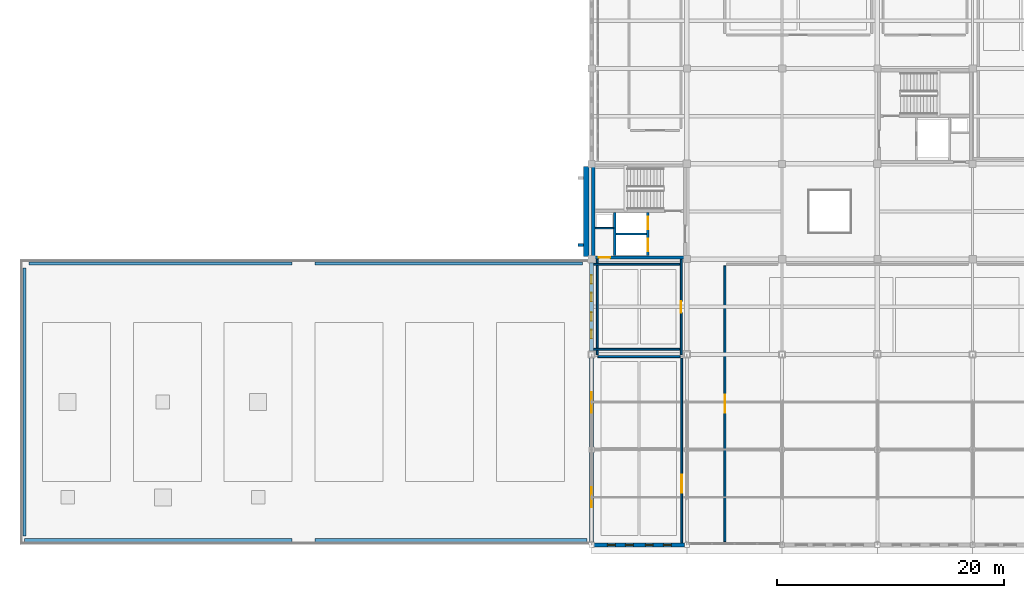
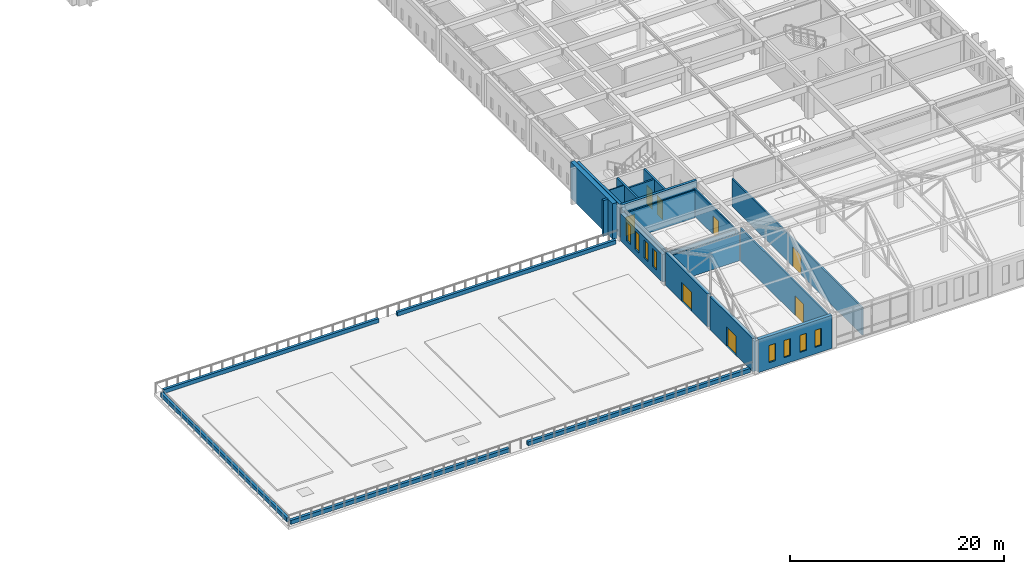
# One storey, part 31 of 47: 24 walls, 8 doors, 8 windows, 16 openings.
"""IFC4 building model written with IfcOpenShell, lengths in metres."""

from ifc_helpers import new_model, si_unit, direction, frame, frame_2d, origin, place, context, subcontext, project, spatial, rectangle, extrude, material, layer, layer_set, type_object, element, fill, save


model = new_model("IFC4")

# Units and contexts
model_context = context("Model", 3, precision=1e-05, world=origin(), true_north=direction((0.0, 1.0)))
body_context = subcontext(model_context, "Body", "Model", "MODEL_VIEW")
ifc_project = project(units=[si_unit("LENGTHUNIT", "METRE"), si_unit("AREAUNIT", "SQUARE_METRE"), si_unit("VOLUMEUNIT", "CUBIC_METRE"), si_unit("PLANEANGLEUNIT", "RADIAN"), si_unit("MASSUNIT", "GRAM", prefix="KILO")], contexts=[model_context])

# Site, building, storey
site_placement = place(None, origin())
site = spatial("IfcSite", under=ifc_project, at=site_placement, CompositionType="ELEMENT")
building_placement = place(site_placement, origin())
building = spatial("IfcBuilding", under=site, at=building_placement, Name="Kveldsbrygga Polytechnic", CompositionType="ELEMENT")
storey_placement = place(building_placement, frame((0.0, 0.0, 13.93994140625)))
storey = spatial("IfcBuildingStorey", under=building, at=storey_placement, Name="L03", CompositionType="ELEMENT", Elevation=13.93994140625)

# Wall
ifc_material_1 = material(Name="Fired clay brick masonry M10", Category="masonry")
ifc_layer_1 = layer(ifc_material_1, 0.47998046875)
ifc_layer_set_1 = layer_set([ifc_layer_1], Name="Fired clay brick masonry M10")
wall_type_1 = type_object("IfcWallType", Name="EW-BAST-480", PredefinedType="SOLIDWALL", material=ifc_layer_set_1)
wall_1_placement = place(storey_placement, frame((125.52001953125, 25.43994140625, 0.0), z_axis=(0.0, 0.0, 1.0), x_axis=(0.0, 1.0, 0.0)))
element("IfcWall", 1, at=wall_1_placement, inside=storey, type_object=wall_type_1, Name="Corner Stair Bastion Wall BAST-L03-Y-15-03", PredefinedType="SOLIDWALL", context=body_context, shape_type="SweptSolid", body=[
    extrude(rectangle(XDim=7.920166015625, YDim=0.47998046875, at=frame_2d((3.9599609375, 0.0))), origin(), (0.0, 0.0, 1.0), 4.080078125),
])

# Wall, openings, windows
ifc_layer_2 = layer(ifc_material_1, 0.360107421875)
ifc_layer_set_2 = layer_set([ifc_layer_2], Name="Fired clay brick masonry M10")
wall_type_2 = type_object("IfcWallType", Name="EW-BRICK-360", PredefinedType="SOLIDWALL", material=ifc_layer_set_2)
wall_2_placement = place(storey_placement, frame((126.22509765625, 0.0, 0.0), z_axis=(0.0, 0.0, 1.0), x_axis=(1.0, 0.0, 0.0)))
wall_2 = element("IfcWall", 2, at=wall_2_placement, inside=storey, type_object=wall_type_2, Name="Exterior Brick Wall EW-L03-X-15-00", PredefinedType="SOLIDWALL", context=body_context, shape_type="SweptSolid", body=[
    extrude(rectangle(XDim=7.96484375, YDim=0.360107421875, at=frame_2d((3.982421875, 0.0))), origin(), (0.0, 0.0, 1.0), 3.780029296875),
])
opening_1_placement = place(wall_2_placement, frame((1.163330078125, 0.0, 0.75)))
opening_1 = element("IfcOpeningElement", 3, at=opening_1_placement, cuts=wall_2, Name="Opening W-28", PredefinedType="OPENING", context=body_context, shape_type="SweptSolid", body=[
    extrude(rectangle(XDim=0.699951171875, YDim=1.949951171875, at=frame_2d((0.35009765625, 0.97509765625))), frame((0.0, 0.18994140625, 0.0), z_axis=(0.0, -1.0, 0.0), x_axis=(1.0, 0.0, 0.0)), (0.0, 0.0, 1.0), 0.380126953125),
])
opening_2_placement = place(wall_2_placement, frame((2.75634765625, 0.0, 0.75)))
opening_2 = element("IfcOpeningElement", 4, at=opening_2_placement, cuts=wall_2, Name="Opening W-28", PredefinedType="OPENING", context=body_context, shape_type="SweptSolid", body=[
    extrude(rectangle(XDim=0.699951171875, YDim=1.949951171875, at=frame_2d((0.35009765625, 0.97509765625))), frame((0.0, 0.18994140625, 0.0), z_axis=(0.0, -1.0, 0.0), x_axis=(1.0, 0.0, 0.0)), (0.0, 0.0, 1.0), 0.380126953125),
])
opening_3_placement = place(wall_2_placement, frame((4.508544921875, 0.0, 0.75)))
opening_3 = element("IfcOpeningElement", 5, at=opening_3_placement, cuts=wall_2, Name="Opening W-28", PredefinedType="OPENING", context=body_context, shape_type="SweptSolid", body=[
    extrude(rectangle(XDim=0.699951171875, YDim=1.949951171875, at=frame_2d((0.35009765625, 0.97509765625))), frame((0.0, 0.18994140625, 0.0), z_axis=(0.0, -1.0, 0.0), x_axis=(1.0, 0.0, 0.0)), (0.0, 0.0, 1.0), 0.380126953125),
])
opening_4_placement = place(wall_2_placement, frame((6.1015625, 0.0, 0.75)))
opening_4 = element("IfcOpeningElement", 6, at=opening_4_placement, cuts=wall_2, Name="Opening W-28", PredefinedType="OPENING", context=body_context, shape_type="SweptSolid", body=[
    extrude(rectangle(XDim=0.699951171875, YDim=1.949951171875, at=frame_2d((0.35009765625, 0.97509765625))), frame((0.0, 0.18994140625, 0.0), z_axis=(0.0, -1.0, 0.0), x_axis=(1.0, 0.0, 0.0)), (0.0, 0.0, 1.0), 0.380126953125),
])
ifc_material_2 = material(Name="Insulated triple low-E glass", Category="glass")
window_type_1 = type_object("IfcWindowType", Name="WN-ATTIC-070x195", PartitioningType="DOUBLE_PANEL_VERTICAL", PredefinedType="WINDOW", material=ifc_material_2)
window_1_placement = place(opening_1_placement, origin())
window_1 = element("IfcWindow", 7, at=window_1_placement, inside=storey, type_object=window_type_1, Name="Gothic Lancet Window WIN-L03-X-15-00-1", OverallHeight=1.949951171875, OverallWidth=0.699951171875, PartitioningType="DOUBLE_PANEL_VERTICAL", PredefinedType="WINDOW", context=body_context, shape_type="SweptSolid", body=[
    extrude(rectangle(XDim=0.699951171875, YDim=1.949951171875, at=frame_2d((0.35009765625, 0.97509765625))), frame((0.0, 0.030029296875, 0.0), z_axis=(0.0, -1.0, 0.0), x_axis=(1.0, 0.0, 0.0)), (0.0, 0.0, 1.0), 0.06005859375),
])
fill(opening_1, window_1)
window_2_placement = place(opening_2_placement, origin())
window_2 = element("IfcWindow", 8, at=window_2_placement, inside=storey, type_object=window_type_1, Name="Gothic Lancet Window WIN-L03-X-15-00-2", OverallHeight=1.949951171875, OverallWidth=0.699951171875, PartitioningType="DOUBLE_PANEL_VERTICAL", PredefinedType="WINDOW", context=body_context, shape_type="SweptSolid", body=[
    extrude(rectangle(XDim=0.699951171875, YDim=1.949951171875, at=frame_2d((0.35009765625, 0.97509765625))), frame((0.0, 0.030029296875, 0.0), z_axis=(0.0, -1.0, 0.0), x_axis=(1.0, 0.0, 0.0)), (0.0, 0.0, 1.0), 0.06005859375),
])
fill(opening_2, window_2)
window_3_placement = place(opening_3_placement, origin())
window_3 = element("IfcWindow", 9, at=window_3_placement, inside=storey, type_object=window_type_1, Name="Gothic Lancet Window WIN-L03-X-15-00-3", OverallHeight=1.949951171875, OverallWidth=0.699951171875, PartitioningType="DOUBLE_PANEL_VERTICAL", PredefinedType="WINDOW", context=body_context, shape_type="SweptSolid", body=[
    extrude(rectangle(XDim=0.699951171875, YDim=1.949951171875, at=frame_2d((0.35009765625, 0.97509765625))), frame((0.0, 0.030029296875, 0.0), z_axis=(0.0, -1.0, 0.0), x_axis=(1.0, 0.0, 0.0)), (0.0, 0.0, 1.0), 0.06005859375),
])
fill(opening_3, window_3)
window_4_placement = place(opening_4_placement, origin())
window_4 = element("IfcWindow", 10, at=window_4_placement, inside=storey, type_object=window_type_1, Name="Gothic Lancet Window WIN-L03-X-15-00-4", OverallHeight=1.949951171875, OverallWidth=0.699951171875, PartitioningType="DOUBLE_PANEL_VERTICAL", PredefinedType="WINDOW", context=body_context, shape_type="SweptSolid", body=[
    extrude(rectangle(XDim=0.699951171875, YDim=1.949951171875, at=frame_2d((0.35009765625, 0.97509765625))), frame((0.0, 0.030029296875, 0.0), z_axis=(0.0, -1.0, 0.0), x_axis=(1.0, 0.0, 0.0)), (0.0, 0.0, 1.0), 0.06005859375),
])
fill(opening_4, window_4)

# Wall, opening, door
wall_3_placement = place(storey_placement, frame((126.0, 0.22509765625, 0.0), z_axis=(0.0, 0.0, 1.0), x_axis=(0.0, 1.0, 0.0)))
wall_3 = element("IfcWall", 11, at=wall_3_placement, inside=storey, type_object=wall_type_2, Name="Exterior Brick Wall EW-L03-Y-15-00", PredefinedType="SOLIDWALL", context=body_context, shape_type="SweptSolid", body=[
    extrude(rectangle(XDim=7.949951171875, YDim=0.360107421875, at=frame_2d((3.97509765625, 0.0))), origin(), (0.0, 0.0, 1.0), 3.780029296875),
])
opening_5_placement = place(wall_3_placement, frame((3.074951171875, 0.0, 0.0)))
opening_5 = element("IfcOpeningElement", 12, at=opening_5_placement, cuts=wall_3, Name="Opening TD-L03-1", PredefinedType="OPENING", context=body_context, shape_type="SweptSolid", body=[
    extrude(rectangle(XDim=1.800048828125, YDim=2.199951171875, at=frame_2d((0.89990234375, 1.10009765625))), frame((0.0, 0.18994140625, 0.0), z_axis=(0.0, -1.0, 0.0), x_axis=(1.0, 0.0, 0.0)), (0.0, 0.0, 1.0), 0.380126953125),
])
ifc_material_3 = material(Name="Anodised aluminium AW-6060", Category="aluminium")
door_type_1 = type_object("IfcDoorType", Name="ED-TERR-180x220", OperationType="DOUBLE_DOOR_SINGLE_SWING", PredefinedType="DOOR", material=ifc_material_3)
door_1_placement = place(opening_5_placement, origin())
door_1 = element("IfcDoor", 13, at=door_1_placement, inside=storey, type_object=door_type_1, Name="Public Roof Terrace Door TD-L03-1", OperationType="DOUBLE_DOOR_SINGLE_SWING", OverallHeight=2.199951171875, OverallWidth=1.800048828125, PredefinedType="DOOR", context=body_context, shape_type="SweptSolid", body=[
    extrude(rectangle(XDim=1.800048828125, YDim=2.199951171875, at=frame_2d((0.89990234375, 1.10009765625))), frame((0.0, 0.02490234375, 0.0), z_axis=(0.0, -1.0, 0.0), x_axis=(1.0, 0.0, 0.0)), (0.0, 0.0, 1.0), 0.050048828125),
])
fill(opening_5, door_1)

wall_4_placement = place(storey_placement, frame((126.0, 8.625, 0.0), z_axis=(0.0, 0.0, 1.0), x_axis=(0.0, 1.0, 0.0)))
wall_4 = element("IfcWall", 14, at=wall_4_placement, inside=storey, type_object=wall_type_2, Name="Exterior Brick Wall EW-L03-Y-15-01", PredefinedType="SOLIDWALL", context=body_context, shape_type="SweptSolid", body=[
    extrude(rectangle(XDim=7.8798828125, YDim=0.360107421875, at=frame_2d((3.93994140625, 0.0))), origin(), (0.0, 0.0, 1.0), 3.780029296875),
])
opening_6_placement = place(wall_4_placement, frame((3.0400390625, 0.0, 0.0)))
opening_6 = element("IfcOpeningElement", 15, at=opening_6_placement, cuts=wall_4, Name="Opening TD-L03-2", PredefinedType="OPENING", context=body_context, shape_type="SweptSolid", body=[
    extrude(rectangle(XDim=1.800048828125, YDim=2.199951171875, at=frame_2d((0.89990234375, 1.10009765625))), frame((0.0, 0.18994140625, 0.0), z_axis=(0.0, -1.0, 0.0), x_axis=(1.0, 0.0, 0.0)), (0.0, 0.0, 1.0), 0.380126953125),
])
door_2_placement = place(opening_6_placement, origin())
door_2 = element("IfcDoor", 16, at=door_2_placement, inside=storey, type_object=door_type_1, Name="Public Roof Terrace Door TD-L03-2", OperationType="DOUBLE_DOOR_SINGLE_SWING", OverallHeight=2.199951171875, OverallWidth=1.800048828125, PredefinedType="DOOR", context=body_context, shape_type="SweptSolid", body=[
    extrude(rectangle(XDim=1.800048828125, YDim=2.199951171875, at=frame_2d((0.89990234375, 1.10009765625))), frame((0.0, 0.02490234375, 0.0), z_axis=(0.0, -1.0, 0.0), x_axis=(1.0, 0.0, 0.0)), (0.0, 0.0, 1.0), 0.050048828125),
])
fill(opening_6, door_2)

# Wall, openings, windows
wall_5_placement = place(storey_placement, frame((126.0, 17.094970703125, 0.0), z_axis=(0.0, 0.0, 1.0), x_axis=(0.0, 1.0, 0.0)))
wall_5 = element("IfcWall", 17, at=wall_5_placement, inside=storey, type_object=wall_type_2, Name="Exterior Brick Wall EW-L03-Y-15-02", PredefinedType="SOLIDWALL", context=body_context, shape_type="SweptSolid", body=[
    extrude(rectangle(XDim=7.794921875, YDim=0.360107421875, at=frame_2d((3.8974609375, 0.0))), origin(), (0.0, 0.0, 1.0), 3.150146484375),
])
opening_7_placement = place(wall_5_placement, frame((1.10595703125, 0.0, 0.699951171875)))
opening_7 = element("IfcOpeningElement", 18, at=opening_7_placement, cuts=wall_5, Name="Opening W-27", PredefinedType="OPENING", context=body_context, shape_type="SweptSolid", body=[
    extrude(rectangle(XDim=0.75, YDim=2.10009765625, at=frame_2d((0.375, 1.050048828125))), frame((0.0, 0.18994140625, 0.0), z_axis=(0.0, -1.0, 0.0), x_axis=(1.0, 0.0, 0.0)), (0.0, 0.0, 1.0), 0.380126953125),
])
opening_8_placement = place(wall_5_placement, frame((2.6650390625, 0.0, 0.699951171875)))
opening_8 = element("IfcOpeningElement", 19, at=opening_8_placement, cuts=wall_5, Name="Opening W-27", PredefinedType="OPENING", context=body_context, shape_type="SweptSolid", body=[
    extrude(rectangle(XDim=0.75, YDim=2.10009765625, at=frame_2d((0.375, 1.050048828125))), frame((0.0, 0.18994140625, 0.0), z_axis=(0.0, -1.0, 0.0), x_axis=(1.0, 0.0, 0.0)), (0.0, 0.0, 1.0), 0.380126953125),
])
opening_9_placement = place(wall_5_placement, frame((4.3798828125, 0.0, 0.699951171875)))
opening_9 = element("IfcOpeningElement", 20, at=opening_9_placement, cuts=wall_5, Name="Opening W-27", PredefinedType="OPENING", context=body_context, shape_type="SweptSolid", body=[
    extrude(rectangle(XDim=0.75, YDim=2.10009765625, at=frame_2d((0.375, 1.050048828125))), frame((0.0, 0.18994140625, 0.0), z_axis=(0.0, -1.0, 0.0), x_axis=(1.0, 0.0, 0.0)), (0.0, 0.0, 1.0), 0.380126953125),
])
opening_10_placement = place(wall_5_placement, frame((5.93896484375, 0.0, 0.699951171875)))
opening_10 = element("IfcOpeningElement", 21, at=opening_10_placement, cuts=wall_5, Name="Opening W-27", PredefinedType="OPENING", context=body_context, shape_type="SweptSolid", body=[
    extrude(rectangle(XDim=0.75, YDim=2.10009765625, at=frame_2d((0.375, 1.050048828125))), frame((0.0, 0.18994140625, 0.0), z_axis=(0.0, -1.0, 0.0), x_axis=(1.0, 0.0, 0.0)), (0.0, 0.0, 1.0), 0.380126953125),
])
window_type_2 = type_object("IfcWindowType", Name="WN-ATTIC-075x210", PartitioningType="DOUBLE_PANEL_VERTICAL", PredefinedType="WINDOW", material=ifc_material_2)
window_5_placement = place(opening_7_placement, origin())
window_5 = element("IfcWindow", 22, at=window_5_placement, inside=storey, type_object=window_type_2, Name="Gothic Lancet Window WIN-L03-Y-15-02-1", OverallHeight=2.10009765625, OverallWidth=0.75, PartitioningType="DOUBLE_PANEL_VERTICAL", PredefinedType="WINDOW", context=body_context, shape_type="SweptSolid", body=[
    extrude(rectangle(XDim=0.75, YDim=2.10009765625, at=frame_2d((0.375, 1.050048828125))), frame((0.0, 0.030029296875, 0.0), z_axis=(0.0, -1.0, 0.0), x_axis=(1.0, 0.0, 0.0)), (0.0, 0.0, 1.0), 0.06005859375),
])
fill(opening_7, window_5)
window_6_placement = place(opening_8_placement, origin())
window_6 = element("IfcWindow", 23, at=window_6_placement, inside=storey, type_object=window_type_2, Name="Gothic Lancet Window WIN-L03-Y-15-02-2", OverallHeight=2.10009765625, OverallWidth=0.75, PartitioningType="DOUBLE_PANEL_VERTICAL", PredefinedType="WINDOW", context=body_context, shape_type="SweptSolid", body=[
    extrude(rectangle(XDim=0.75, YDim=2.10009765625, at=frame_2d((0.375, 1.050048828125))), frame((0.0, 0.030029296875, 0.0), z_axis=(0.0, -1.0, 0.0), x_axis=(1.0, 0.0, 0.0)), (0.0, 0.0, 1.0), 0.06005859375),
])
fill(opening_8, window_6)
window_7_placement = place(opening_9_placement, origin())
window_7 = element("IfcWindow", 24, at=window_7_placement, inside=storey, type_object=window_type_2, Name="Gothic Lancet Window WIN-L03-Y-15-02-3", OverallHeight=2.10009765625, OverallWidth=0.75, PartitioningType="DOUBLE_PANEL_VERTICAL", PredefinedType="WINDOW", context=body_context, shape_type="SweptSolid", body=[
    extrude(rectangle(XDim=0.75, YDim=2.10009765625, at=frame_2d((0.375, 1.050048828125))), frame((0.0, 0.030029296875, 0.0), z_axis=(0.0, -1.0, 0.0), x_axis=(1.0, 0.0, 0.0)), (0.0, 0.0, 1.0), 0.06005859375),
])
fill(opening_9, window_7)
window_8_placement = place(opening_10_placement, origin())
window_8 = element("IfcWindow", 25, at=window_8_placement, inside=storey, type_object=window_type_2, Name="Gothic Lancet Window WIN-L03-Y-15-02-4", OverallHeight=2.10009765625, OverallWidth=0.75, PartitioningType="DOUBLE_PANEL_VERTICAL", PredefinedType="WINDOW", context=body_context, shape_type="SweptSolid", body=[
    extrude(rectangle(XDim=0.75, YDim=2.10009765625, at=frame_2d((0.375, 1.050048828125))), frame((0.0, 0.030029296875, 0.0), z_axis=(0.0, -1.0, 0.0), x_axis=(1.0, 0.0, 0.0)), (0.0, 0.0, 1.0), 0.06005859375),
])
fill(opening_10, window_8)

# Wall
ifc_layer_3 = layer(ifc_material_1, 0.260009765625)
ifc_layer_set_3 = layer_set([ifc_layer_3], Name="Fired clay brick masonry M10")
wall_type_3 = type_object("IfcWallType", Name="EW-BUTT-260", PredefinedType="SOLIDWALL", material=ifc_layer_set_3)
wall_6_placement = place(storey_placement, frame((125.300048828125, 26.449951171875, 0.0), z_axis=(0.0, 0.0, 1.0), x_axis=(-1.0, 0.0, 0.0)))
element("IfcWall", 26, at=wall_6_placement, inside=storey, type_object=wall_type_3, Name="Gothic Brick Buttress Pier BCLAS-L03-Y-15-03-1", PredefinedType="SOLIDWALL", context=body_context, shape_type="SweptSolid", body=[
    extrude(rectangle(XDim=0.52001953125, YDim=0.260009765625, at=frame_2d((0.260009765625, 0.0))), origin(), (0.0, 0.0, 1.0), 4.080078125),
])

# Wall, opening, door
ifc_material_4 = material(Name="Gypsum acoustic stud partition")
ifc_layer_4 = layer(ifc_material_4, 0.1650390625)
ifc_layer_set_4 = layer_set([ifc_layer_4], Name="Gypsum acoustic stud partition")
wall_type_4 = type_object("IfcWallType", Name="IW-LIB-165", PredefinedType="PARTITIONING", material=ifc_layer_set_4)
wall_7_placement = place(storey_placement, frame((133.949951171875, 0.179931640625, 0.0), z_axis=(0.0, 0.0, 1.0), x_axis=(0.0, 1.0, 0.0)))
wall_7 = element("IfcWall", 27, at=wall_7_placement, inside=storey, type_object=wall_type_4, Name="Partition Wall IW-SP-L03-LIB1-E1", PredefinedType="PARTITIONING", context=body_context, shape_type="SweptSolid", body=[
    extrude(rectangle(XDim=16.27001953125, YDim=0.1650390625, at=frame_2d((8.135009765625, 0.0))), origin(), (0.0, 0.0, 1.0), 3.780029296875),
])
opening_11_placement = place(wall_7_placement, frame((4.40087890625, 0.0, 0.0)))
opening_11 = element("IfcOpeningElement", 28, at=opening_11_placement, cuts=wall_7, Name="Opening ID-L03-072", PredefinedType="OPENING", context=body_context, shape_type="SweptSolid", body=[
    extrude(rectangle(XDim=1.60009765625, YDim=2.25, at=frame_2d((0.800048828125, 1.125))), frame((0.0, 0.092529296875, 0.0), z_axis=(0.0, -1.0, 0.0), x_axis=(1.0, 0.0, 0.0)), (0.0, 0.0, 1.0), 0.18505859375),
])
ifc_material_5 = material(Name="Acoustic oak timber", Category="wood")
door_type_2 = type_object("IfcDoorType", Name="ID-LIB-160x225", OperationType="DOUBLE_DOOR_SINGLE_SWING", PredefinedType="DOOR", material=ifc_material_5)
door_3_placement = place(opening_11_placement, origin())
door_3 = element("IfcDoor", 29, at=door_3_placement, inside=storey, type_object=door_type_2, Name="Interior Door ID-L03-072", OperationType="DOUBLE_DOOR_SINGLE_SWING", OverallHeight=2.25, OverallWidth=1.60009765625, PredefinedType="DOOR", context=body_context, shape_type="SweptSolid", body=[
    extrude(rectangle(XDim=1.60009765625, YDim=2.25, at=frame_2d((0.800048828125, 1.125))), frame((0.0, 0.02490234375, 0.0), z_axis=(0.0, -1.0, 0.0), x_axis=(1.0, 0.0, 0.0)), (0.0, 0.0, 1.0), 0.050048828125),
])
fill(opening_11, door_3)

# Wall
wall_8_placement = place(storey_placement, frame((126.550048828125, 16.60009765625, 0.0), z_axis=(0.0, 0.0, 1.0), x_axis=(1.0, 0.0, 0.0)))
element("IfcWall", 30, at=wall_8_placement, inside=storey, type_object=wall_type_4, Name="Partition Wall IW-SP-L03-LIB1-N1", PredefinedType="PARTITIONING", context=body_context, shape_type="SweptSolid", body=[
    extrude(rectangle(XDim=7.25, YDim=0.1650390625, at=frame_2d((3.625, 0.0))), origin(), (0.0, 0.0, 1.0), 3.150146484375),
])

# Wall, opening, door
wall_9_placement = place(storey_placement, frame((137.75, 0.280029296875, 0.0), z_axis=(0.0, 0.0, 1.0), x_axis=(0.0, 1.0, 0.0)))
wall_9 = element("IfcWall", 31, at=wall_9_placement, inside=storey, type_object=wall_type_4, Name="Partition Wall IW-SP-L03-LIB2-W1", PredefinedType="PARTITIONING", context=body_context, shape_type="SweptSolid", body=[
    extrude(rectangle(XDim=24.320068359375, YDim=0.1650390625, at=frame_2d((12.16015625, 0.0))), origin(), (0.0, 0.0, 1.0), 3.150146484375),
])
opening_12_placement = place(wall_9_placement, frame((11.360107421875, 0.0, 0.0)))
opening_12 = element("IfcOpeningElement", 32, at=opening_12_placement, cuts=wall_9, Name="Opening ID-L03-073", PredefinedType="OPENING", context=body_context, shape_type="SweptSolid", body=[
    extrude(rectangle(XDim=1.60009765625, YDim=2.25, at=frame_2d((0.800048828125, 1.125))), frame((0.0, 0.092529296875, 0.0), z_axis=(0.0, -1.0, 0.0), x_axis=(1.0, 0.0, 0.0)), (0.0, 0.0, 1.0), 0.18505859375),
])
door_4_placement = place(opening_12_placement, origin())
door_4 = element("IfcDoor", 33, at=door_4_placement, inside=storey, type_object=door_type_2, Name="Interior Door ID-L03-073", OperationType="DOUBLE_DOOR_SINGLE_SWING", OverallHeight=2.25, OverallWidth=1.60009765625, PredefinedType="DOOR", context=body_context, shape_type="SweptSolid", body=[
    extrude(rectangle(XDim=1.60009765625, YDim=2.25, at=frame_2d((0.800048828125, 1.125))), frame((0.0, 0.02490234375, 0.0), z_axis=(0.0, -1.0, 0.0), x_axis=(1.0, 0.0, 0.0)), (0.0, 0.0, 1.0), 0.050048828125),
])
fill(opening_12, door_4)

# Walls
ifc_material_6 = material(Name="Moisture-resistant masonry M10", Category="masonry")
ifc_layer_5 = layer(ifc_material_6, 0.1298828125)
ifc_layer_set_5 = layer_set([ifc_layer_5], Name="Moisture-resistant masonry M10")
wall_type_5 = type_object("IfcWallType", Name="IW-SAN-130", PredefinedType="PARTITIONING", material=ifc_layer_set_5)
wall_10_placement = place(storey_placement, frame((126.320068359375, 27.93994140625, 0.0), z_axis=(0.0, 0.0, 1.0), x_axis=(1.0, 0.0, 0.0)))
element("IfcWall", 34, at=wall_10_placement, inside=storey, type_object=wall_type_5, Name="Core AWC Divider C1-L03-W-RSR", PredefinedType="PARTITIONING", context=body_context, shape_type="SweptSolid", body=[
    extrude(rectangle(XDim=1.619873046875, YDim=0.1298828125, at=frame_2d((0.81005859375, 0.0))), origin(), (0.0, 0.0, 1.0), 3.780029296875),
])
ifc_layer_6 = layer(ifc_material_4, 0.14990234375)
ifc_layer_set_6 = layer_set([ifc_layer_6], Name="Gypsum acoustic stud partition")
wall_type_6 = type_object("IfcWallType", Name="IW-SEM-150", PredefinedType="PARTITIONING", material=ifc_layer_set_6)
wall_11_placement = place(storey_placement, frame((126.179931640625, 24.75, 0.0), z_axis=(0.0, 0.0, 1.0), x_axis=(1.0, 0.0, 0.0)))
element("IfcWall", 35, at=wall_11_placement, inside=storey, type_object=wall_type_6, Name="Partition Wall IW-SP-L03-SEM32-N1", PredefinedType="PARTITIONING", context=body_context, shape_type="SweptSolid", body=[
    extrude(rectangle(XDim=7.570068359375, YDim=0.14990234375, at=frame_2d((3.78515625, 0.0))), origin(), (0.0, 0.0, 1.0), 3.150146484375),
])

# Wall, opening, door
wall_12_placement = place(storey_placement, frame((133.89990234375, 16.780029296875, 0.0), z_axis=(0.0, 0.0, 1.0), x_axis=(0.0, 1.0, 0.0)))
wall_12 = element("IfcWall", 36, at=wall_12_placement, inside=storey, type_object=wall_type_6, Name="Partition Wall IW-SP-L03-SEM32-E1", PredefinedType="PARTITIONING", context=body_context, shape_type="SweptSolid", body=[
    extrude(rectangle(XDim=8.389892578125, YDim=0.14990234375, at=frame_2d((4.19482421875, 0.0))), origin(), (0.0, 0.0, 1.0), 3.130126953125),
])
opening_13_placement = place(wall_12_placement, frame((3.669921875, 0.0, 0.0)))
opening_13 = element("IfcOpeningElement", 37, at=opening_13_placement, cuts=wall_12, Name="Opening ID-L03-082", PredefinedType="OPENING", context=body_context, shape_type="SweptSolid", body=[
    extrude(rectangle(XDim=1.050048828125, YDim=2.14990234375, at=frame_2d((0.52490234375, 1.074951171875))), frame((0.0, 0.0849609375, 0.0), z_axis=(0.0, -1.0, 0.0), x_axis=(1.0, 0.0, 0.0)), (0.0, 0.0, 1.0), 0.169921875),
])
door_type_3 = type_object("IfcDoorType", Name="ID-SEM-105x215", OperationType="NOTDEFINED", PredefinedType="DOOR", material=ifc_material_5)
door_5_placement = place(opening_13_placement, origin())
door_5 = element("IfcDoor", 38, at=door_5_placement, inside=storey, type_object=door_type_3, Name="Interior Door ID-L03-082", OperationType="SINGLE_SWING_RIGHT", OverallHeight=2.14990234375, OverallWidth=1.050048828125, PredefinedType="DOOR", context=body_context, shape_type="SweptSolid", body=[
    extrude(rectangle(XDim=1.050048828125, YDim=2.14990234375, at=frame_2d((0.52490234375, 1.074951171875))), frame((0.0, 0.02490234375, 0.0), z_axis=(0.0, -1.0, 0.0), x_axis=(1.0, 0.0, 0.0)), (0.0, 0.0, 1.0), 0.050048828125),
])
fill(opening_13, door_5)

# Walls
wall_13_placement = place(storey_placement, frame((126.179931640625, 17.25, 0.0), z_axis=(0.0, 0.0, 1.0), x_axis=(1.0, 0.0, 0.0)))
element("IfcWall", 39, at=wall_13_placement, inside=storey, type_object=wall_type_6, Name="Partition Wall IW-SP-L03-SEM32-S1", PredefinedType="PARTITIONING", context=body_context, shape_type="SweptSolid", body=[
    extrude(rectangle(XDim=7.570068359375, YDim=0.14990234375, at=frame_2d((3.78515625, 0.0))), origin(), (0.0, 0.0, 1.0), 3.150146484375),
])
wall_14_placement = place(storey_placement, frame((126.5, 16.780029296875, 0.0), z_axis=(0.0, 0.0, 1.0), x_axis=(0.0, 1.0, 0.0)))
element("IfcWall", 40, at=wall_14_placement, inside=storey, type_object=wall_type_6, Name="Partition Wall IW-SP-L03-SEM32-W1", PredefinedType="PARTITIONING", context=body_context, shape_type="SweptSolid", body=[
    extrude(rectangle(XDim=8.389892578125, YDim=0.14990234375, at=frame_2d((4.19482421875, 0.0))), origin(), (0.0, 0.0, 1.0), 3.130126953125),
])
ifc_layer_7 = layer(ifc_material_1, 0.280029296875)
ifc_layer_set_7 = layer_set([ifc_layer_7], Name="Fired clay brick masonry M10")
wall_type_7 = type_object("IfcWallType", Name="PAR-BRICK-280", PredefinedType="PARAPET", material=ifc_layer_set_7)
wall_15_placement = place(storey_placement, frame((76.0, 0.800048828125, 0.0), z_axis=(0.0, 0.0, 1.0), x_axis=(0.0, 1.0, 0.0)))
element("IfcWall", 41, at=wall_15_placement, inside=storey, type_object=wall_type_7, Name="Terrace Parapet PAR-L03-W1", PredefinedType="PARAPET", context=body_context, shape_type="SweptSolid", body=[
    extrude(rectangle(XDim=23.599853515625, YDim=0.280029296875, at=frame_2d((11.7998046875, 0.0))), origin(), (0.0, 0.0, 1.0), 0.449951171875),
])
wall_16_placement = place(storey_placement, frame((76.39990234375, 24.800048828125, 0.0), z_axis=(0.0, 0.0, 1.0), x_axis=(1.0, 0.0, 0.0)))
element("IfcWall", 42, at=wall_16_placement, inside=storey, type_object=wall_type_7, Name="Terrace Parapet PAR-L03-N1", PredefinedType="PARAPET", context=body_context, shape_type="SweptSolid", body=[
    extrude(rectangle(XDim=23.2001953125, YDim=0.280029296875, at=frame_2d((11.60009765625, 0.0))), origin(), (0.0, 0.0, 1.0), 0.449951171875),
])
wall_17_placement = place(storey_placement, frame((101.60009765625, 24.800048828125, 0.0), z_axis=(0.0, 0.0, 1.0), x_axis=(1.0, 0.0, 0.0)))
element("IfcWall", 43, at=wall_17_placement, inside=storey, type_object=wall_type_7, Name="Terrace Parapet PAR-L03-N2", PredefinedType="PARAPET", context=body_context, shape_type="SweptSolid", body=[
    extrude(rectangle(XDim=23.599853515625, YDim=0.280029296875, at=frame_2d((11.7998046875, 0.0))), origin(), (0.0, 0.0, 1.0), 0.449951171875),
])
ifc_material_7 = material(Name="Iddefjord granite ashlar", Category="masonry")
ifc_layer_8 = layer(ifc_material_7, 0.300048828125)
ifc_layer_set_8 = layer_set([ifc_layer_8], Name="Iddefjord granite ashlar")
wall_type_8 = type_object("IfcWallType", Name="PAR-GRAN-300", PredefinedType="PARAPET", material=ifc_layer_set_8)
wall_18_placement = place(storey_placement, frame((76.0, 0.39990234375, 0.0), z_axis=(0.0, 0.0, 1.0), x_axis=(1.0, 0.0, 0.0)))
element("IfcWall", 44, at=wall_18_placement, inside=storey, type_object=wall_type_8, Name="Terrace Parapet PAR-L03-S1", PredefinedType="PARAPET", context=body_context, shape_type="SweptSolid", body=[
    extrude(rectangle(XDim=23.60009765625, YDim=0.300048828125, at=frame_2d((11.800048828125, 0.0))), origin(), (0.0, 0.0, 1.0), 0.449951171875),
])
wall_19_placement = place(storey_placement, frame((101.60009765625, 0.39990234375, 0.0), z_axis=(0.0, 0.0, 1.0), x_axis=(1.0, 0.0, 0.0)))
element("IfcWall", 45, at=wall_19_placement, inside=storey, type_object=wall_type_8, Name="Terrace Parapet PAR-L03-S2", PredefinedType="PARAPET", context=body_context, shape_type="SweptSolid", body=[
    extrude(rectangle(XDim=24.0, YDim=0.300048828125, at=frame_2d((12.0, 0.0))), origin(), (0.0, 0.0, 1.0), 0.449951171875),
])

# Wall, opening, door
ifc_material_8 = material(Name="Concrete C45/55", Category="concrete")
ifc_layer_9 = layer(ifc_material_8, 0.280029296875)
ifc_layer_set_9 = layer_set([ifc_layer_9], Name="Concrete C45/55")
wall_type_9 = type_object("IfcWallType", Name="WL-CORE-280", PredefinedType="SHEAR", material=ifc_layer_set_9)
wall_20_placement = place(storey_placement, frame((126.14990234375, 25.35009765625, 0.0), z_axis=(0.0, 0.0, 1.0), x_axis=(1.0, 0.0, 0.0)))
wall_20 = element("IfcWall", 46, at=wall_20_placement, inside=storey, type_object=wall_type_9, Name="Core C1 Shear Wall C1-L03-SW-S", PredefinedType="SHEAR", context=body_context, shape_type="SweptSolid", body=[
    extrude(rectangle(XDim=8.10009765625, YDim=0.280029296875, at=frame_2d((4.050048828125, 0.0))), origin(), (0.0, 0.0, 1.0), 3.780029296875),
])
opening_14_placement = place(wall_20_placement, frame((0.485107421875, 0.0, 0.0)))
opening_14 = element("IfcOpeningElement", 47, at=opening_14_placement, cuts=wall_20, Name="Opening ID-C1-L03-AWC", PredefinedType="OPENING", context=body_context, shape_type="SweptSolid", body=[
    extrude(rectangle(XDim=1.0, YDim=2.14990234375, at=frame_2d((0.5, 1.074951171875))), frame((0.0, 0.14990234375, 0.0), z_axis=(0.0, -1.0, 0.0), x_axis=(1.0, 0.0, 0.0)), (0.0, 0.0, 1.0), 0.300048828125),
])
door_type_4 = type_object("IfcDoorType", Name="ID-AWC-100x215", OperationType="NOTDEFINED", PredefinedType="DOOR", material=ifc_material_5)
door_6_placement = place(opening_14_placement, origin())
door_6 = element("IfcDoor", 48, at=door_6_placement, inside=storey, type_object=door_type_4, Name="Accessible WC Door ID-C1-L03-AWC", OperationType="SINGLE_SWING_RIGHT", OverallHeight=2.14990234375, OverallWidth=1.0, PredefinedType="DOOR", context=body_context, shape_type="SweptSolid", body=[
    extrude(rectangle(XDim=1.0, YDim=2.14990234375, at=frame_2d((0.5, 1.074951171875))), frame((0.0, 0.02490234375, 0.0), z_axis=(0.0, -1.0, 0.0), x_axis=(1.0, 0.0, 0.0)), (0.0, 0.0, 1.0), 0.050048828125),
])
fill(opening_14, door_6)

# Walls
wall_21_placement = place(storey_placement, frame((126.14990234375, 25.35009765625, 0.0), z_axis=(0.0, 0.0, 1.0), x_axis=(0.0, 1.0, 0.0)))
element("IfcWall", 49, at=wall_21_placement, inside=storey, type_object=wall_type_9, Name="Core C1 Shear Wall C1-L03-SW-W", PredefinedType="SHEAR", context=body_context, shape_type="SweptSolid", body=[
    extrude(rectangle(XDim=8.099853515625, YDim=0.280029296875, at=frame_2d((4.0498046875, 0.0))), origin(), (0.0, 0.0, 1.0), 3.780029296875),
])
ifc_material_9 = material(Name="Concrete C35/45", Category="concrete")
ifc_layer_10 = layer(ifc_material_9, 0.179931640625)
ifc_layer_set_10 = layer_set([ifc_layer_10], Name="Concrete C35/45")
wall_type_10 = type_object("IfcWallType", Name="WL-SHFT-180", PredefinedType="SHEAR", material=ifc_layer_set_10)
wall_22_placement = place(storey_placement, frame((128.14990234375, 27.39990234375, 0.0), z_axis=(0.0, 0.0, 1.0), x_axis=(1.0, 0.0, 0.0)))
element("IfcWall", 50, at=wall_22_placement, inside=storey, type_object=wall_type_10, Name="Lift Divider Wall C1-L03-W-LMID", PredefinedType="SHEAR", context=body_context, shape_type="SweptSolid", body=[
    extrude(rectangle(XDim=2.7001953125, YDim=0.179931640625, at=frame_2d((1.35009765625, 0.0))), origin(), (0.0, 0.0, 1.0), 3.780029296875),
])

# Wall, openings, doors
ifc_layer_11 = layer(ifc_material_9, 0.199951171875)
ifc_layer_set_11 = layer_set([ifc_layer_11], Name="Concrete C35/45")
wall_type_11 = type_object("IfcWallType", Name="WL-SHFT-200", PredefinedType="SHEAR", material=ifc_layer_set_11)
wall_23_placement = place(storey_placement, frame((130.9599609375, 25.5, 0.0), z_axis=(0.0, 0.0, 1.0), x_axis=(0.0, 1.0, 0.0)))
wall_23 = element("IfcWall", 51, at=wall_23_placement, inside=storey, type_object=wall_type_11, Name="Lift Front Wall C1-L03-W-LFR", PredefinedType="SHEAR", context=body_context, shape_type="SweptSolid", body=[
    extrude(rectangle(XDim=3.800048828125, YDim=0.199951171875, at=frame_2d((1.89990234375, 0.0))), origin(), (0.0, 0.0, 1.0), 3.780029296875),
])
opening_15_placement = place(wall_23_placement, frame((0.375, 0.0, 0.0)))
opening_15 = element("IfcOpeningElement", 52, at=opening_15_placement, cuts=wall_23, Name="Opening LD-FL-1", PredefinedType="OPENING", context=body_context, shape_type="SweptSolid", body=[
    extrude(rectangle(XDim=1.10009765625, YDim=2.14990234375, at=frame_2d((0.550048828125, 1.074951171875))), frame((0.0, 0.10986328125, 0.0), z_axis=(0.0, -1.0, 0.0), x_axis=(1.0, 0.0, 0.0)), (0.0, 0.0, 1.0), 0.219970703125),
])
opening_16_placement = place(wall_23_placement, frame((2.324951171875, 0.0, 0.0)))
opening_16 = element("IfcOpeningElement", 53, at=opening_16_placement, cuts=wall_23, Name="Opening LD-LP-1", PredefinedType="OPENING", context=body_context, shape_type="SweptSolid", body=[
    extrude(rectangle(XDim=1.10009765625, YDim=2.14990234375, at=frame_2d((0.550048828125, 1.074951171875))), frame((0.0, 0.10986328125, 0.0), z_axis=(0.0, -1.0, 0.0), x_axis=(1.0, 0.0, 0.0)), (0.0, 0.0, 1.0), 0.219970703125),
])
ifc_material_10 = material(Name="Brushed stainless steel EN 1.4401", Category="steel")
door_type_5 = type_object("IfcDoorType", Name="LD-PAX-110x215", OperationType="SLIDING_TO_LEFT", PredefinedType="DOOR", material=ifc_material_10)
door_7_placement = place(opening_15_placement, origin())
door_7 = element("IfcDoor", 54, at=door_7_placement, inside=storey, type_object=door_type_5, Name="Lift Landing Sliding Door LD-FL-1-L03", OperationType="SLIDING_TO_LEFT", OverallHeight=2.14990234375, OverallWidth=1.10009765625, PredefinedType="DOOR", context=body_context, shape_type="SweptSolid", body=[
    extrude(rectangle(XDim=1.10009765625, YDim=2.14990234375, at=frame_2d((0.550048828125, 1.074951171875))), frame((0.0, 0.02490234375, 0.0), z_axis=(0.0, -1.0, 0.0), x_axis=(1.0, 0.0, 0.0)), (0.0, 0.0, 1.0), 0.050048828125),
])
fill(opening_15, door_7)
door_8_placement = place(opening_16_placement, origin())
door_8 = element("IfcDoor", 55, at=door_8_placement, inside=storey, type_object=door_type_5, Name="Lift Landing Sliding Door LD-LP-1-L03", OperationType="SLIDING_TO_LEFT", OverallHeight=2.14990234375, OverallWidth=1.10009765625, PredefinedType="DOOR", context=body_context, shape_type="SweptSolid", body=[
    extrude(rectangle(XDim=1.10009765625, YDim=2.14990234375, at=frame_2d((0.550048828125, 1.074951171875))), frame((0.0, 0.02490234375, 0.0), z_axis=(0.0, -1.0, 0.0), x_axis=(1.0, 0.0, 0.0)), (0.0, 0.0, 1.0), 0.050048828125),
])
fill(opening_16, door_8)

# Wall
wall_24_placement = place(storey_placement, frame((128.0400390625, 25.5, 0.0), z_axis=(0.0, 0.0, 1.0), x_axis=(0.0, 1.0, 0.0)))
element("IfcWall", 56, at=wall_24_placement, inside=storey, type_object=wall_type_11, Name="Lift Back Wall C1-L03-W-LBK", PredefinedType="SHEAR", context=body_context, shape_type="SweptSolid", body=[
    extrude(rectangle(XDim=3.800048828125, YDim=0.199951171875, at=frame_2d((1.89990234375, 0.0))), origin(), (0.0, 0.0, 1.0), 3.780029296875),
])

save(model, "model.ifc")
